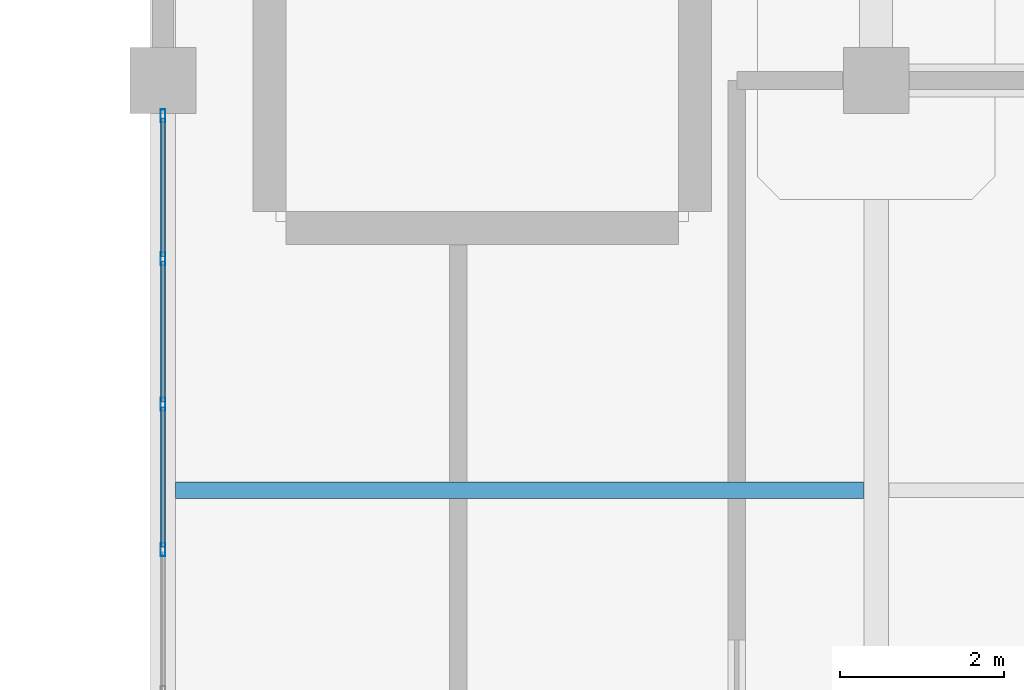
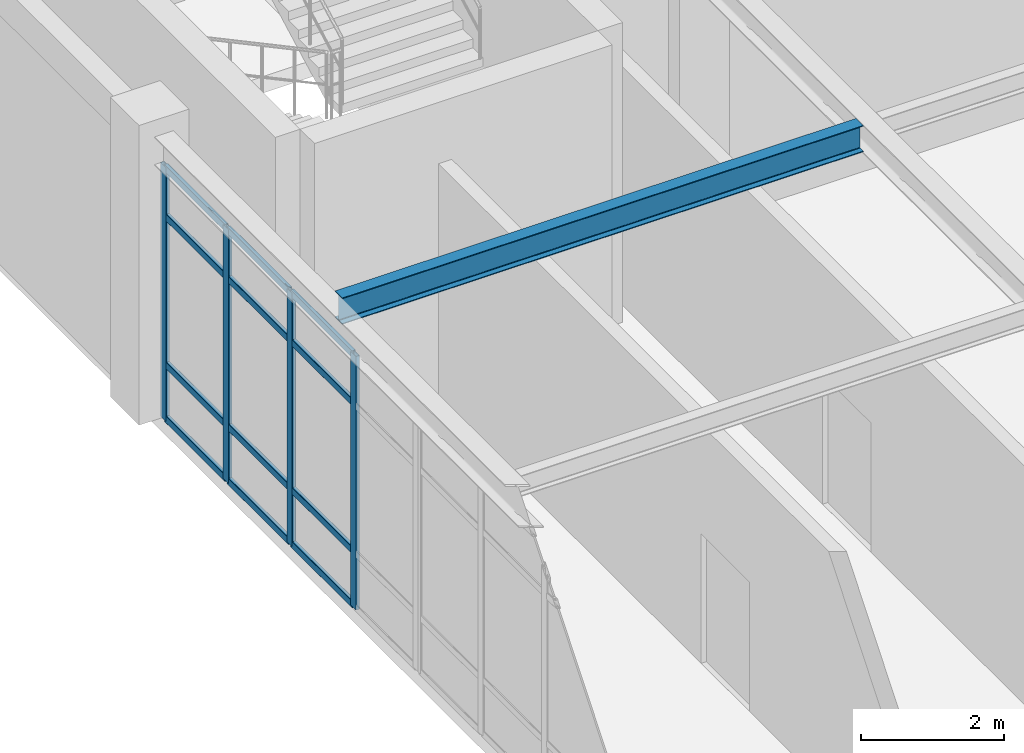
# One storey, part 28 of 96: 16 members, 1 beam, 1 element without a shape of its own.
"""IFC4 building model written with IfcOpenShell, lengths in metres."""

from ifc_helpers import new_model, si_unit, derived_unit, direction, frame, origin, origin_2d, place, context, subcontext, project, spatial, hollow_rectangle, i_section, extrude, material, layer, layer_set, material_profile, profile_set, type_object, element, aggregate, save


model = new_model("IFC4")

# Units and contexts
model_context = context("Model", 3, precision=1e-05, world=origin(), true_north=direction((0.0, 1.0)))
body_context = subcontext(model_context, "Body", "Model", "MODEL_VIEW")
ifc_project = project(units=[si_unit("LENGTHUNIT", "METRE"), si_unit("AREAUNIT", "SQUARE_METRE"), si_unit("VOLUMEUNIT", "CUBIC_METRE"), si_unit("PLANEANGLEUNIT", "RADIAN"), si_unit("MASSUNIT", "GRAM", prefix="KILO"), derived_unit("THERMALTRANSMITTANCEUNIT", [(si_unit("MASSUNIT", "GRAM", prefix="KILO"), 1), (si_unit("TIMEUNIT", "SECOND"), -3), (si_unit("THERMODYNAMICTEMPERATUREUNIT", "KELVIN"), -1)])], contexts=[model_context])

# Site, building, storey
site_placement = place(None, origin())
site = spatial("IfcSite", under=ifc_project, at=site_placement, CompositionType="ELEMENT")
building_placement = place(site_placement, origin())
building = spatial("IfcBuilding", under=site, at=building_placement, Name="Qinzheling Arcade Emporium", CompositionType="ELEMENT")
storey_placement = place(building_placement, frame((0.0, 0.0, 21.60009765625)))
storey = spatial("IfcBuildingStorey", under=building, at=storey_placement, Name="L05", CompositionType="ELEMENT", Elevation=21.60009765625)

# Curtain wall, members
ifc_material_1 = material(Name="Anodised aluminium and solar-control double glazing", Category="aluminium")
ifc_layer = layer(ifc_material_1, 0.159912109375, Name="Anodised aluminium and solar-control double glazing", Category="aluminium")
ifc_layer_set = layer_set([ifc_layer], Name="Anodised aluminium and solar-control double glazing")
curtain_wall_type = type_object("IfcCurtainWallType", Name="Atrium Clerestory Curtain Wall", PredefinedType="NOTDEFINED", material=ifc_layer_set)
curtain_wall_placement = place(storey_placement, origin())
curtain_wall = element("IfcCurtainWall", 1, at=curtain_wall_placement, inside=storey, type_object=curtain_wall_type, Name="Curtain Wall CW-L05-318", PredefinedType="NOTDEFINED")
ifc_material_2 = material(Name="Anodised aluminium 6063-T6", Category="aluminium")
ifc_material_profile_1 = material_profile(ifc_material_2, hollow_rectangle(XDim=0.06005859375, YDim=0.159912109375, WallThickness=0.00390625, InnerFilletRadius=0.00390625, OuterFilletRadius=0.008056640625, at=origin_2d()), Name="RHS 160x60x4", Category="aluminium")
ifc_profile_set_1 = profile_set([ifc_material_profile_1], Name="Anodised aluminium 6063-T6")
member_type_1 = type_object("IfcMemberType", Name="Curtain Wall Mullion RHS160x60", PredefinedType="MULLION", material=ifc_profile_set_1)
member_1_placement = place(storey_placement, frame((34.800048828125, 59.676025390625, 0.0), z_axis=(0.0, 0.0, 1.0), x_axis=(-1.0, 0.0, 0.0)))
member_1 = element("IfcMember", 2, at=member_1_placement, type_object=member_type_1, Name="CW03 mullion 2", PredefinedType="MULLION", context=body_context, shape_type="SweptSolid", body=[
    extrude(hollow_rectangle(XDim=0.06005859375, YDim=0.159912109375, WallThickness=0.00390625, InnerFilletRadius=0.00390625, OuterFilletRadius=0.008056640625, at=origin_2d()), origin(), (0.0, 0.0, 1.0), 4.31689453125),
])
member_2_placement = place(storey_placement, frame((34.800048828125, 61.449951171875, 0.0), z_axis=(0.0, 0.0, 1.0), x_axis=(-1.0, 0.0, 0.0)))
member_2 = element("IfcMember", 3, at=member_2_placement, type_object=member_type_1, Name="CW03 mullion 3", PredefinedType="MULLION", context=body_context, shape_type="SweptSolid", body=[
    extrude(hollow_rectangle(XDim=0.06005859375, YDim=0.159912109375, WallThickness=0.00390625, InnerFilletRadius=0.00390625, OuterFilletRadius=0.008056640625, at=origin_2d()), origin(), (0.0, 0.0, 1.0), 4.31689453125),
])
member_3_placement = place(storey_placement, frame((34.800048828125, 63.22412109375, 0.0), z_axis=(0.0, 0.0, 1.0), x_axis=(-1.0, 0.0, 0.0)))
member_3 = element("IfcMember", 4, at=member_3_placement, type_object=member_type_1, Name="CW03 mullion 4", PredefinedType="MULLION", context=body_context, shape_type="SweptSolid", body=[
    extrude(hollow_rectangle(XDim=0.06005859375, YDim=0.159912109375, WallThickness=0.00390625, InnerFilletRadius=0.00390625, OuterFilletRadius=0.008056640625, at=origin_2d()), origin(), (0.0, 0.0, 1.0), 4.31689453125),
])
member_4_placement = place(storey_placement, frame((34.800048828125, 64.968017578125, 0.0), z_axis=(0.0, 0.0, 1.0), x_axis=(-1.0, 0.0, 0.0)))
member_4 = element("IfcMember", 5, at=member_4_placement, type_object=member_type_1, Name="CW03 mullion 5", PredefinedType="MULLION", context=body_context, shape_type="SweptSolid", body=[
    extrude(hollow_rectangle(XDim=0.06005859375, YDim=0.159912109375, WallThickness=0.00390625, InnerFilletRadius=0.00390625, OuterFilletRadius=0.008056640625, at=origin_2d()), origin(), (0.0, 0.0, 1.0), 4.31689453125),
])
ifc_material_profile_2 = material_profile(ifc_material_2, hollow_rectangle(XDim=0.06005859375, YDim=0.1201171875, WallThickness=0.00390625, InnerFilletRadius=0.00390625, OuterFilletRadius=0.008056640625, at=origin_2d()), Name="RHS 120x60x4", Category="aluminium")
ifc_profile_set_2 = profile_set([ifc_material_profile_2], Name="Anodised aluminium 6063-T6")
member_type_2 = type_object("IfcMemberType", Name="Curtain Wall Transom RHS120x60", PredefinedType="USERDEFINED", material=ifc_profile_set_2)
member_5_placement = place(storey_placement, frame((34.800048828125, 59.7060546875, 0.02978515625), z_axis=(0.0, 1.0, 0.0), x_axis=(-1.0, 0.0, 0.0)))
member_5 = element("IfcMember", 6, at=member_5_placement, type_object=member_type_2, Name="CW03 transom 2.1", ObjectType="TRANSOM", PredefinedType="USERDEFINED", context=body_context, shape_type="SweptSolid", body=[
    extrude(hollow_rectangle(XDim=0.06005859375, YDim=0.1201171875, WallThickness=0.00390625, InnerFilletRadius=0.00390625, OuterFilletRadius=0.008056640625, at=origin_2d()), origin(), (0.0, 0.0, 1.0), 1.7138671875),
])
member_6_placement = place(storey_placement, frame((34.800048828125, 59.7060546875, 0.949951171875), z_axis=(0.0, 1.0, 0.0), x_axis=(-1.0, 0.0, 0.0)))
member_6 = element("IfcMember", 7, at=member_6_placement, type_object=member_type_2, Name="CW03 transom 2.2", ObjectType="TRANSOM", PredefinedType="USERDEFINED", context=body_context, shape_type="SweptSolid", body=[
    extrude(hollow_rectangle(XDim=0.06005859375, YDim=0.1201171875, WallThickness=0.00390625, InnerFilletRadius=0.00390625, OuterFilletRadius=0.008056640625, at=origin_2d()), origin(), (0.0, 0.0, 1.0), 1.7138671875),
])
member_7_placement = place(storey_placement, frame((34.800048828125, 59.7060546875, 3.466796875), z_axis=(0.0, 1.0, 0.0), x_axis=(-1.0, 0.0, 0.0)))
member_7 = element("IfcMember", 8, at=member_7_placement, type_object=member_type_2, Name="CW03 transom 2.3", ObjectType="TRANSOM", PredefinedType="USERDEFINED", context=body_context, shape_type="SweptSolid", body=[
    extrude(hollow_rectangle(XDim=0.06005859375, YDim=0.1201171875, WallThickness=0.00390625, InnerFilletRadius=0.00390625, OuterFilletRadius=0.008056640625, at=origin_2d()), origin(), (0.0, 0.0, 1.0), 1.7138671875),
])
member_8_placement = place(storey_placement, frame((34.800048828125, 59.7060546875, 4.286865234375), z_axis=(0.0, 1.0, 0.0), x_axis=(-1.0, 0.0, 0.0)))
member_8 = element("IfcMember", 9, at=member_8_placement, type_object=member_type_2, Name="CW03 transom 2.4", ObjectType="TRANSOM", PredefinedType="USERDEFINED", context=body_context, shape_type="SweptSolid", body=[
    extrude(hollow_rectangle(XDim=0.06005859375, YDim=0.1201171875, WallThickness=0.00390625, InnerFilletRadius=0.00390625, OuterFilletRadius=0.008056640625, at=origin_2d()), origin(), (0.0, 0.0, 1.0), 1.7138671875),
])
member_9_placement = place(storey_placement, frame((34.800048828125, 61.47998046875, 0.02978515625), z_axis=(0.0, 1.0, 0.0), x_axis=(-1.0, 0.0, 0.0)))
member_9 = element("IfcMember", 10, at=member_9_placement, type_object=member_type_2, Name="CW03 transom 3.1", ObjectType="TRANSOM", PredefinedType="USERDEFINED", context=body_context, shape_type="SweptSolid", body=[
    extrude(hollow_rectangle(XDim=0.06005859375, YDim=0.1201171875, WallThickness=0.00390625, InnerFilletRadius=0.00390625, OuterFilletRadius=0.008056640625, at=origin_2d()), origin(), (0.0, 0.0, 1.0), 1.714111328125),
])
member_10_placement = place(storey_placement, frame((34.800048828125, 61.47998046875, 0.949951171875), z_axis=(0.0, 1.0, 0.0), x_axis=(-1.0, 0.0, 0.0)))
member_10 = element("IfcMember", 11, at=member_10_placement, type_object=member_type_2, Name="CW03 transom 3.2", ObjectType="TRANSOM", PredefinedType="USERDEFINED", context=body_context, shape_type="SweptSolid", body=[
    extrude(hollow_rectangle(XDim=0.06005859375, YDim=0.1201171875, WallThickness=0.00390625, InnerFilletRadius=0.00390625, OuterFilletRadius=0.008056640625, at=origin_2d()), origin(), (0.0, 0.0, 1.0), 1.714111328125),
])
member_11_placement = place(storey_placement, frame((34.800048828125, 61.47998046875, 3.466796875), z_axis=(0.0, 1.0, 0.0), x_axis=(-1.0, 0.0, 0.0)))
member_11 = element("IfcMember", 12, at=member_11_placement, type_object=member_type_2, Name="CW03 transom 3.3", ObjectType="TRANSOM", PredefinedType="USERDEFINED", context=body_context, shape_type="SweptSolid", body=[
    extrude(hollow_rectangle(XDim=0.06005859375, YDim=0.1201171875, WallThickness=0.00390625, InnerFilletRadius=0.00390625, OuterFilletRadius=0.008056640625, at=origin_2d()), origin(), (0.0, 0.0, 1.0), 1.714111328125),
])
member_12_placement = place(storey_placement, frame((34.800048828125, 61.47998046875, 4.286865234375), z_axis=(0.0, 1.0, 0.0), x_axis=(-1.0, 0.0, 0.0)))
member_12 = element("IfcMember", 13, at=member_12_placement, type_object=member_type_2, Name="CW03 transom 3.4", ObjectType="TRANSOM", PredefinedType="USERDEFINED", context=body_context, shape_type="SweptSolid", body=[
    extrude(hollow_rectangle(XDim=0.06005859375, YDim=0.1201171875, WallThickness=0.00390625, InnerFilletRadius=0.00390625, OuterFilletRadius=0.008056640625, at=origin_2d()), origin(), (0.0, 0.0, 1.0), 1.714111328125),
])
member_13_placement = place(storey_placement, frame((34.800048828125, 63.25390625, 0.02978515625), z_axis=(0.0, 1.0, 0.0), x_axis=(-1.0, 0.0, 0.0)))
member_13 = element("IfcMember", 14, at=member_13_placement, type_object=member_type_2, Name="CW03 transom 4.1", ObjectType="TRANSOM", PredefinedType="USERDEFINED", context=body_context, shape_type="SweptSolid", body=[
    extrude(hollow_rectangle(XDim=0.06005859375, YDim=0.1201171875, WallThickness=0.00390625, InnerFilletRadius=0.00390625, OuterFilletRadius=0.008056640625, at=origin_2d()), origin(), (0.0, 0.0, 1.0), 1.68408203125),
])
member_14_placement = place(storey_placement, frame((34.800048828125, 63.25390625, 0.949951171875), z_axis=(0.0, 1.0, 0.0), x_axis=(-1.0, 0.0, 0.0)))
member_14 = element("IfcMember", 15, at=member_14_placement, type_object=member_type_2, Name="CW03 transom 4.2", ObjectType="TRANSOM", PredefinedType="USERDEFINED", context=body_context, shape_type="SweptSolid", body=[
    extrude(hollow_rectangle(XDim=0.06005859375, YDim=0.1201171875, WallThickness=0.00390625, InnerFilletRadius=0.00390625, OuterFilletRadius=0.008056640625, at=origin_2d()), origin(), (0.0, 0.0, 1.0), 1.68408203125),
])
member_15_placement = place(storey_placement, frame((34.800048828125, 63.25390625, 3.466796875), z_axis=(0.0, 1.0, 0.0), x_axis=(-1.0, 0.0, 0.0)))
member_15 = element("IfcMember", 16, at=member_15_placement, type_object=member_type_2, Name="CW03 transom 4.3", ObjectType="TRANSOM", PredefinedType="USERDEFINED", context=body_context, shape_type="SweptSolid", body=[
    extrude(hollow_rectangle(XDim=0.06005859375, YDim=0.1201171875, WallThickness=0.00390625, InnerFilletRadius=0.00390625, OuterFilletRadius=0.008056640625, at=origin_2d()), origin(), (0.0, 0.0, 1.0), 1.68408203125),
])
member_16_placement = place(storey_placement, frame((34.800048828125, 63.25390625, 4.286865234375), z_axis=(0.0, 1.0, 0.0), x_axis=(-1.0, 0.0, 0.0)))
member_16 = element("IfcMember", 17, at=member_16_placement, type_object=member_type_2, Name="CW03 transom 4.4", ObjectType="TRANSOM", PredefinedType="USERDEFINED", context=body_context, shape_type="SweptSolid", body=[
    extrude(hollow_rectangle(XDim=0.06005859375, YDim=0.1201171875, WallThickness=0.00390625, InnerFilletRadius=0.00390625, OuterFilletRadius=0.008056640625, at=origin_2d()), origin(), (0.0, 0.0, 1.0), 1.68408203125),
])
aggregate(curtain_wall, [member_1, member_2, member_3, member_4, member_5, member_6, member_7, member_8, member_9, member_10, member_11, member_12, member_13, member_14, member_15, member_16])

# Beam
ifc_material_3 = material(Name="Structural steel Q355B", Category="steel")
ifc_material_profile_3 = material_profile(ifc_material_3, i_section(OverallWidth=0.199951171875, OverallDepth=0.449951171875, WebThickness=0.009033203125, FlangeThickness=0.013916015625, FilletRadius=0.01611328125, at=origin_2d()), Name="HN 450x200x9x14", Category="steel")
ifc_profile_set_3 = profile_set([ifc_material_profile_3], Name="Structural steel Q355B")
beam_type = type_object("IfcBeamType", Name="Secondary Floor Joist HN450 Q355B", PredefinedType="JOIST", material=ifc_profile_set_3)
beam_placement = place(storey_placement, frame((34.955078125, 60.39990234375, 4.594970703125), z_axis=(1.0, 0.0, 0.0), x_axis=(0.0, 1.0, 0.0)))
element("IfcBeam", 18, at=beam_placement, inside=storey, type_object=beam_type, Name="Secondary Joist JST-L05-5-2", PredefinedType="JOIST", context=body_context, shape_type="SweptSolid", body=[
    extrude(i_section(OverallWidth=0.199951171875, OverallDepth=0.449951171875, WebThickness=0.009033203125, FlangeThickness=0.013916015625, FilletRadius=0.01611328125, at=origin_2d()), origin(), (0.0, 0.0, 1.0), 8.389892578125),
])

save(model, "model.ifc")
